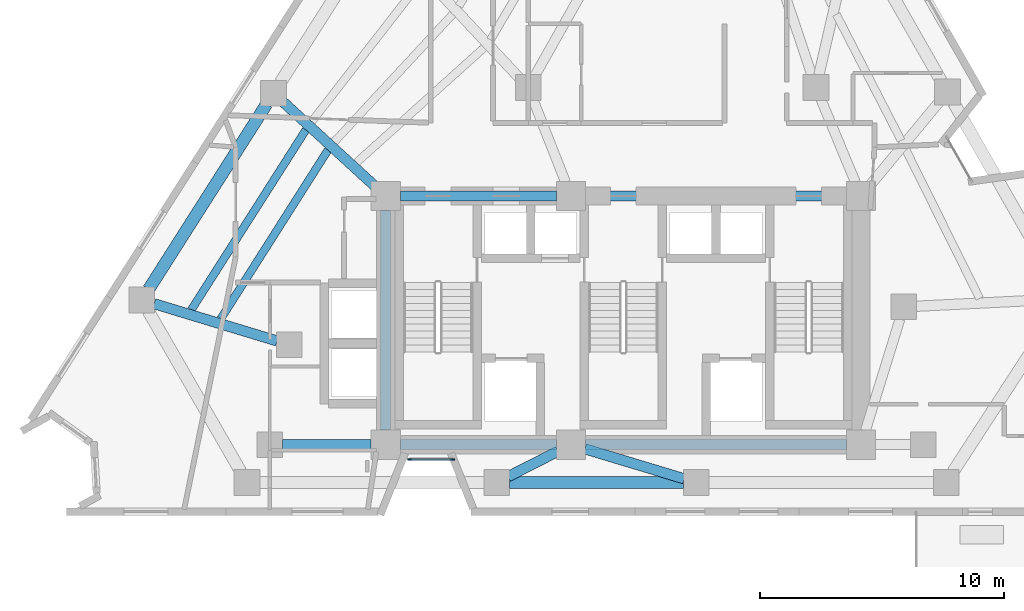
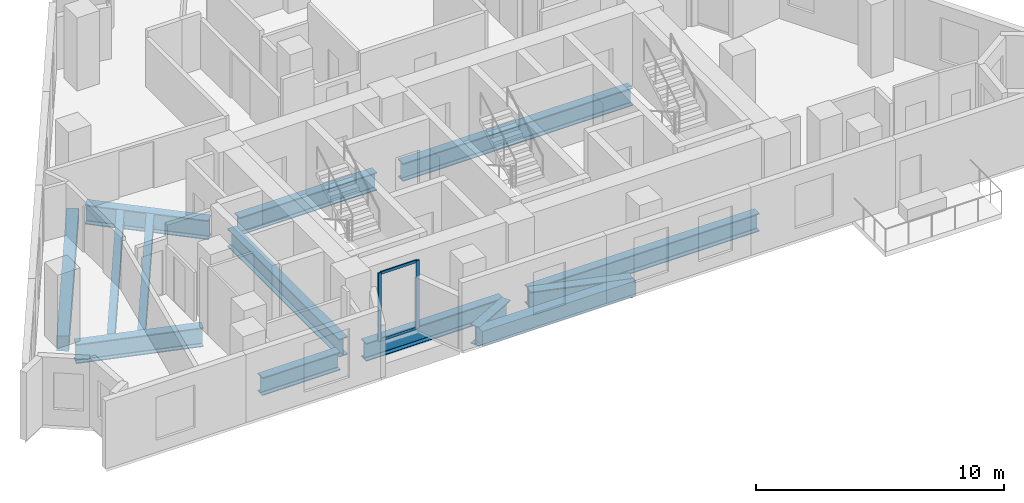
# One storey, part 2 of 12: 14 beams, 4 members, 1 element without a shape of its own.
"""IFC4 building model written with IfcOpenShell, lengths in metres."""

from ifc_helpers import new_model, si_unit, direction, frame, origin, origin_2d, place, context, subcontext, project, spatial, rectangle, i_section, extrude, material, layer, layer_set, material_profile, profile_set, type_object, element, aggregate, save


model = new_model("IFC4")

# Units and contexts
model_context = context("Model", 3, precision=1e-05, world=origin(), true_north=direction((0.0, 1.0)))
body_context = subcontext(model_context, "Body", "Model", "MODEL_VIEW")
ifc_project = project(units=[si_unit("LENGTHUNIT", "METRE"), si_unit("AREAUNIT", "SQUARE_METRE"), si_unit("VOLUMEUNIT", "CUBIC_METRE"), si_unit("PLANEANGLEUNIT", "RADIAN"), si_unit("MASSUNIT", "GRAM", prefix="KILO")], contexts=[model_context])

# Site, building, storey
site_placement = place(None, origin())
site = spatial("IfcSite", under=ifc_project, at=site_placement, CompositionType="ELEMENT")
building_placement = place(site_placement, origin())
building = spatial("IfcBuilding", under=site, at=building_placement, Name="Almagre Mirador Tower", CompositionType="ELEMENT")
storey_placement = place(building_placement, frame((0.0, 0.0, 139.199951171875)))
storey = spatial("IfcBuildingStorey", under=building, at=storey_placement, Name="L35", CompositionType="ELEMENT", Elevation=139.199951171875)

# Beams
ifc_material_1 = material(Name="Steel ASTM A992 Grade 50", Category="steel")
ifc_material_profile_1 = material_profile(ifc_material_1, i_section(OverallWidth=0.323974609375, OverallDepth=0.611083984375, WebThickness=0.0126953125, FlangeThickness=0.01904296875, FilletRadius=0.02001953125, at=origin_2d()), Name="W24X104")
ifc_profile_set_1 = profile_set([ifc_material_profile_1], Name="Steel ASTM A992 Grade 50")
beam_type_1 = type_object("IfcBeamType", Name="BM-JST-W24X104", PredefinedType="JOIST", material=ifc_profile_set_1)
beam_1_placement = place(storey_placement, frame((24.28076171875, 17.463134765625, -0.555419921875), z_axis=(-0.537119153904, -0.843506380835, 0.0), x_axis=(0.843506380835, -0.537119153904, 0.0)))
element("IfcBeam", 1, at=beam_1_placement, inside=storey, type_object=beam_type_1, Name="L35 secondary floor joist PC11-PC12.1", PredefinedType="JOIST", context=body_context, shape_type="SweptSolid", body=[
    extrude(i_section(OverallWidth=0.323974609375, OverallDepth=0.611083984375, WebThickness=0.0126953125, FlangeThickness=0.01904296875, FilletRadius=0.02001953125, at=origin_2d()), origin(), (0.0, 0.0, 1.0), 8.751708984375),
])
beam_2_placement = place(storey_placement, frame((25.185302734375, 16.63427734375, -0.555419921875), z_axis=(-0.536144918512, -0.844125954082, 0.0), x_axis=(0.844125954082, -0.536144918512, 0.0)))
element("IfcBeam", 2, at=beam_2_placement, inside=storey, type_object=beam_type_1, Name="L35 secondary floor joist PC11-PC12.2", PredefinedType="JOIST", context=body_context, shape_type="SweptSolid", body=[
    extrude(i_section(OverallWidth=0.323974609375, OverallDepth=0.611083984375, WebThickness=0.0126953125, FlangeThickness=0.01904296875, FilletRadius=0.02001953125, at=origin_2d()), origin(), (0.0, 0.0, 1.0), 8.197509765625),
])
ifc_material_2 = material(Name="Precast concrete C50/60", Category="concrete")
ifc_material_profile_2 = material_profile(ifc_material_2, rectangle(XDim=0.5, YDim=0.75, at=origin_2d()), Name="RC500X750")
ifc_profile_set_2 = profile_set([ifc_material_profile_2], Name="Precast concrete C50/60")
beam_type_2 = type_object("IfcBeamType", Name="BM-SPN-RC500X750", PredefinedType="SPANDREL", material=ifc_profile_set_2)
beam_3_placement = place(storey_placement, frame((32.62890625, 3.0, -0.625), z_axis=(1.0, 0.0, 0.0), x_axis=(0.0, 1.0, 0.0)))
element("IfcBeam", 3, at=beam_3_placement, inside=storey, type_object=beam_type_2, Name="L35 perimeter spandrel beam PC02-PC03", PredefinedType="SPANDREL", context=body_context, shape_type="SweptSolid", body=[
    extrude(rectangle(XDim=0.5, YDim=0.75, at=origin_2d()), origin(), (0.0, 0.0, 1.0), 7.14208984375),
])
beam_4_placement = place(storey_placement, frame((22.669921875, 18.520263671875, -0.625), z_axis=(-0.53711935681, -0.84350625163, 0.0), x_axis=(0.84350625163, -0.53711935681, 0.0)))
element("IfcBeam", 4, at=beam_4_placement, inside=storey, type_object=beam_type_2, Name="L35 perimeter spandrel beam PC11-PC12", PredefinedType="SPANDREL", context=body_context, shape_type="SweptSolid", body=[
    extrude(rectangle(XDim=0.5, YDim=0.75, at=origin_2d()), origin(), (0.0, 0.0, 1.0), 9.00341796875),
])
ifc_material_3 = material(Name="Steel ASTM A992 Grade 50", Category="steel")
ifc_material_profile_3 = material_profile(ifc_material_3, i_section(OverallWidth=0.404052734375, OverallDepth=0.884033203125, WebThickness=0.0244140625, FlangeThickness=0.0439453125, FilletRadius=0.02490234375, at=origin_2d()), Name="W33X291")
ifc_profile_set_3 = profile_set([ifc_material_profile_3], Name="Steel ASTM A992 Grade 50")
beam_type_3 = type_object("IfcBeamType", Name="BM-STL-W33X291", PredefinedType="BEAM", material=ifc_profile_set_3)
beam_5_placement = place(storey_placement, frame((28.14990234375, 4.550048828125, -0.69189453125), z_axis=(1.0, 0.0, 0.0), x_axis=(0.0, 1.0, 0.0)))
element("IfcBeam", 5, at=beam_5_placement, inside=storey, type_object=beam_type_3, Name="L35 core tie girder CC1-CC2", PredefinedType="BEAM", context=body_context, shape_type="SweptSolid", body=[
    extrude(i_section(OverallWidth=0.404052734375, OverallDepth=0.884033203125, WebThickness=0.0244140625, FlangeThickness=0.0439453125, FilletRadius=0.02490234375, at=origin_2d()), origin(), (0.0, 0.0, 1.0), 6.400146484375),
])
beam_6_placement = place(storey_placement, frame((35.75, 4.550048828125, -0.69189453125), z_axis=(1.0, 0.0, 0.0), x_axis=(0.0, 1.0, 0.0)))
element("IfcBeam", 6, at=beam_6_placement, inside=storey, type_object=beam_type_3, Name="L35 core tie girder CC2-CC3", PredefinedType="BEAM", context=body_context, shape_type="SweptSolid", body=[
    extrude(i_section(OverallWidth=0.404052734375, OverallDepth=0.884033203125, WebThickness=0.0244140625, FlangeThickness=0.0439453125, FilletRadius=0.02490234375, at=origin_2d()), origin(), (0.0, 0.0, 1.0), 10.699951171875),
])
beam_7_placement = place(storey_placement, frame((28.14990234375, 14.75, -0.69189453125), z_axis=(1.0, 0.0, 0.0), x_axis=(0.0, 1.0, 0.0)))
element("IfcBeam", 7, at=beam_7_placement, inside=storey, type_object=beam_type_3, Name="L35 core tie girder CC4-CC5", PredefinedType="BEAM", context=body_context, shape_type="SweptSolid", body=[
    extrude(i_section(OverallWidth=0.404052734375, OverallDepth=0.884033203125, WebThickness=0.0244140625, FlangeThickness=0.0439453125, FilletRadius=0.02490234375, at=origin_2d()), origin(), (0.0, 0.0, 1.0), 6.400146484375),
])
beam_8_placement = place(storey_placement, frame((35.75, 14.75, -0.69189453125), z_axis=(1.0, 0.0, 0.0), x_axis=(0.0, 1.0, 0.0)))
element("IfcBeam", 8, at=beam_8_placement, inside=storey, type_object=beam_type_3, Name="L35 core tie girder CC5-CC6", PredefinedType="BEAM", context=body_context, shape_type="SweptSolid", body=[
    extrude(i_section(OverallWidth=0.404052734375, OverallDepth=0.884033203125, WebThickness=0.0244140625, FlangeThickness=0.0439453125, FilletRadius=0.02490234375, at=origin_2d()), origin(), (0.0, 0.0, 1.0), 10.699951171875),
])
beam_9_placement = place(storey_placement, frame((27.550048828125, 5.14990234375, -0.69189453125), z_axis=(0.0, 1.0, 0.0), x_axis=(-1.0, 0.0, 0.0)))
element("IfcBeam", 9, at=beam_9_placement, inside=storey, type_object=beam_type_3, Name="L35 core tie girder CC1-CC4", PredefinedType="BEAM", context=body_context, shape_type="SweptSolid", body=[
    extrude(i_section(OverallWidth=0.404052734375, OverallDepth=0.884033203125, WebThickness=0.0244140625, FlangeThickness=0.0439453125, FilletRadius=0.02490234375, at=origin_2d()), origin(), (0.0, 0.0, 1.0), 9.0),
])
beam_10_placement = place(storey_placement, frame((23.324951171875, 4.550048828125, -0.69189453125), z_axis=(1.0, 0.0, 0.0), x_axis=(0.0, 1.0, 0.0)))
element("IfcBeam", 10, at=beam_10_placement, inside=storey, type_object=beam_type_3, Name="L35 core tie girder MC1-CC1", PredefinedType="BEAM", context=body_context, shape_type="SweptSolid", body=[
    extrude(i_section(OverallWidth=0.404052734375, OverallDepth=0.884033203125, WebThickness=0.0244140625, FlangeThickness=0.0439453125, FilletRadius=0.02490234375, at=origin_2d()), origin(), (0.0, 0.0, 1.0), 3.625),
])
ifc_material_4 = material(Name="Steel ASTM A992 Grade 50", Category="steel")
ifc_material_profile_4 = material_profile(ifc_material_4, i_section(OverallWidth=0.423095703125, OverallDepth=0.947998046875, WebThickness=0.02392578125, FlangeThickness=0.042724609375, FilletRadius=0.028076171875, at=origin_2d()), Name="W36X302")
ifc_profile_set_4 = profile_set([ifc_material_profile_4], Name="Steel ASTM A992 Grade 50")
beam_type_4 = type_object("IfcBeamType", Name="BM-STL-W36X302", PredefinedType="BEAM", material=ifc_profile_set_4)
beam_11_placement = place(storey_placement, frame((32.572021484375, 3.238037109375, -0.723876953125), z_axis=(0.891231211208, 0.453549256606, 0.0), x_axis=(-0.453549256606, 0.891231211208, 0.0)))
element("IfcBeam", 11, at=beam_11_placement, inside=storey, type_object=beam_type_4, Name="L35 radial floor girder PC02-CC2", PredefinedType="BEAM", context=body_context, shape_type="SweptSolid", body=[
    extrude(i_section(OverallWidth=0.423095703125, OverallDepth=0.947998046875, WebThickness=0.02392578125, FlangeThickness=0.042724609375, FilletRadius=0.028076171875, at=origin_2d()), origin(), (0.0, 0.0, 1.0), 2.29248046875),
])
beam_12_placement = place(storey_placement, frame((39.793212890625, 3.1513671875, -0.723876953125), z_axis=(-0.957501498255, 0.288428294104, 0.0), x_axis=(-0.288428294104, -0.957501498255, 0.0)))
element("IfcBeam", 12, at=beam_12_placement, inside=storey, type_object=beam_type_4, Name="L35 radial floor girder PC03-CC2", PredefinedType="BEAM", context=body_context, shape_type="SweptSolid", body=[
    extrude(i_section(OverallWidth=0.423095703125, OverallDepth=0.947998046875, WebThickness=0.02392578125, FlangeThickness=0.042724609375, FilletRadius=0.028076171875, at=origin_2d()), origin(), (0.0, 0.0, 1.0), 4.249267578125),
])
beam_13_placement = place(storey_placement, frame((23.339111328125, 18.6083984375, -0.723876953125), z_axis=(0.73728894688, -0.675577537229, 0.0), x_axis=(0.675577537229, 0.73728894688, 0.0)))
element("IfcBeam", 13, at=beam_13_placement, inside=storey, type_object=beam_type_4, Name="L35 radial floor girder PC11-CC4", PredefinedType="BEAM", context=body_context, shape_type="SweptSolid", body=[
    extrude(i_section(OverallWidth=0.423095703125, OverallDepth=0.947998046875, WebThickness=0.02392578125, FlangeThickness=0.042724609375, FilletRadius=0.028076171875, at=origin_2d()), origin(), (0.0, 0.0, 1.0), 5.111328125),
])
beam_14_placement = place(storey_placement, frame((18.054443359375, 10.330810546875, -0.723876953125), z_axis=(0.957007648209, -0.290062685068, 0.0), x_axis=(0.290062685068, 0.957007648209, 0.0)))
element("IfcBeam", 14, at=beam_14_placement, inside=storey, type_object=beam_type_4, Name="L35 radial floor girder PC12-MC10", PredefinedType="BEAM", context=body_context, shape_type="SweptSolid", body=[
    extrude(i_section(OverallWidth=0.423095703125, OverallDepth=0.947998046875, WebThickness=0.02392578125, FlangeThickness=0.042724609375, FilletRadius=0.028076171875, at=origin_2d()), origin(), (0.0, 0.0, 1.0), 5.269775390625),
])

# Curtain wall, members
ifc_material_5 = material(Name="Black anodized aluminium", Category="aluminium")
ifc_layer = layer(ifc_material_5, 0.169921875)
ifc_layer_set = layer_set([ifc_layer], Name="Black anodized aluminium")
curtain_wall_type = type_object("IfcCurtainWallType", Name="CW-CRS-SYS", PredefinedType="NOTDEFINED", material=ifc_layer_set)
curtain_wall_placement = place(storey_placement, origin())
curtain_wall = element("IfcCurtainWall", 15, at=curtain_wall_placement, inside=storey, type_object=curtain_wall_type, Name="L35 vertical crease curtain wall 04", PredefinedType="NOTDEFINED")
ifc_material_6 = material(Name="Black anodized aluminium", Category="aluminium")
ifc_material_profile_5 = material_profile(ifc_material_6, rectangle(XDim=0.06005859375, YDim=0.14990234375, at=origin_2d()), Name="CWM60X150")
ifc_profile_set_5 = profile_set([ifc_material_profile_5], Name="Black anodized aluminium")
member_type_1 = type_object("IfcMemberType", Name="MBR-CWM60X150", PredefinedType="MULLION", material=ifc_profile_set_5)
member_1_placement = place(storey_placement, frame((30.302978515625, 3.949951171875, 0.0), z_axis=(0.0, 0.0, 1.0), x_axis=(0.0, -1.0, 0.0)))
member_1 = element("IfcMember", 16, at=member_1_placement, type_object=member_type_1, Name="CW-4 mullion 1", PredefinedType="MULLION", context=body_context, shape_type="SweptSolid", body=[
    extrude(rectangle(XDim=0.06005859375, YDim=0.14990234375, at=origin_2d()), origin(), (0.0, 0.0, 1.0), 3.35009765625),
])
member_2_placement = place(storey_placement, frame((28.5400390625, 3.949951171875, 0.0), z_axis=(0.0, 0.0, 1.0), x_axis=(0.0, -1.0, 0.0)))
member_2 = element("IfcMember", 17, at=member_2_placement, type_object=member_type_1, Name="CW-4 mullion 2", PredefinedType="MULLION", context=body_context, shape_type="SweptSolid", body=[
    extrude(rectangle(XDim=0.06005859375, YDim=0.14990234375, at=origin_2d()), origin(), (0.0, 0.0, 1.0), 3.35009765625),
])
ifc_material_7 = material(Name="Black anodized aluminium", Category="aluminium")
ifc_material_profile_6 = material_profile(ifc_material_7, rectangle(XDim=0.06005859375, YDim=0.1298828125, at=origin_2d()), Name="CWT60X130")
ifc_profile_set_6 = profile_set([ifc_material_profile_6], Name="Black anodized aluminium")
member_type_2 = type_object("IfcMemberType", Name="MBR-CWT60X130", PredefinedType="USERDEFINED", material=ifc_profile_set_6)
member_3_placement = place(storey_placement, frame((30.27294921875, 3.949951171875, 0.030029296875), z_axis=(-1.0, 0.0, 0.0), x_axis=(0.0, -1.0, 0.0)))
member_3 = element("IfcMember", 18, at=member_3_placement, type_object=member_type_2, Name="CW-4 transom 1.1", ObjectType="TRANSOM", PredefinedType="USERDEFINED", context=body_context, shape_type="SweptSolid", body=[
    extrude(rectangle(XDim=0.06005859375, YDim=0.1298828125, at=origin_2d()), origin(), (0.0, 0.0, 1.0), 1.702880859375),
])
member_4_placement = place(storey_placement, frame((30.27294921875, 3.949951171875, 3.320068359375), z_axis=(-1.0, 0.0, 0.0), x_axis=(0.0, -1.0, 0.0)))
member_4 = element("IfcMember", 19, at=member_4_placement, type_object=member_type_2, Name="CW-4 transom 1.2", ObjectType="TRANSOM", PredefinedType="USERDEFINED", context=body_context, shape_type="SweptSolid", body=[
    extrude(rectangle(XDim=0.06005859375, YDim=0.1298828125, at=origin_2d()), origin(), (0.0, 0.0, 1.0), 1.702880859375),
])
aggregate(curtain_wall, [member_1, member_2, member_3, member_4])

save(model, "model.ifc")
